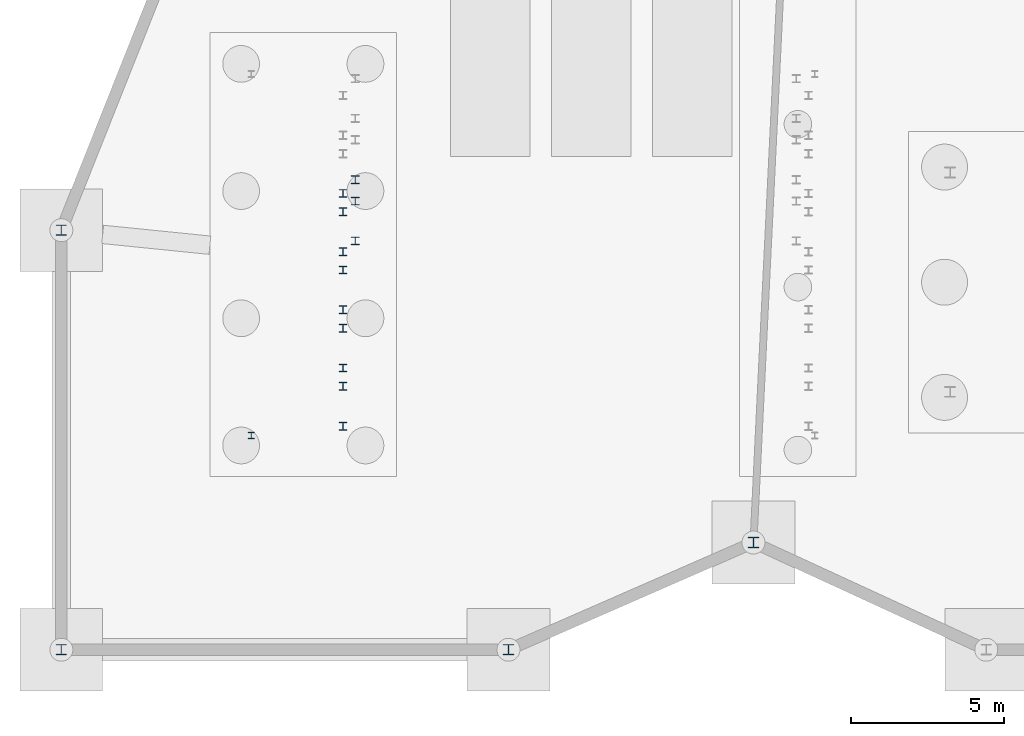
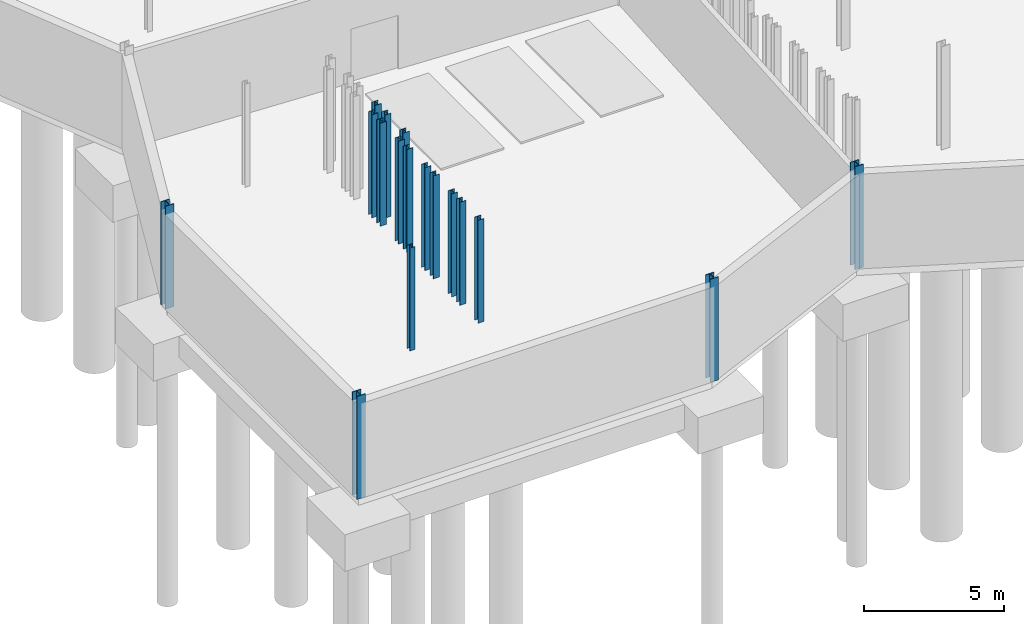
# One storey, part 4 of 37: 17 columns.
"""IFC4 building model written with IfcOpenShell, lengths in metres."""

from ifc_helpers import new_model, si_unit, direction, frame, origin, origin_2d, place, context, subcontext, project, spatial, i_section, extrude, material, material_profile, profile_set, type_object, element, save


model = new_model("IFC4")

# Units and contexts
model_context = context("Model", 3, precision=1e-05, world=origin(), true_north=direction((0.0, 1.0)))
body_context = subcontext(model_context, "Body", "Model", "MODEL_VIEW")
ifc_project = project(units=[si_unit("LENGTHUNIT", "METRE"), si_unit("AREAUNIT", "SQUARE_METRE"), si_unit("VOLUMEUNIT", "CUBIC_METRE"), si_unit("PLANEANGLEUNIT", "RADIAN"), si_unit("MASSUNIT", "GRAM", prefix="KILO")], contexts=[model_context])

# Site, building, storey
site_placement = place(None, origin())
site = spatial("IfcSite", under=ifc_project, at=site_placement, CompositionType="ELEMENT")
building_placement = place(site_placement, origin())
building = spatial("IfcBuilding", under=site, at=building_placement, Name="Tameran Prism Museum", CompositionType="ELEMENT")
storey_placement = place(building_placement, frame((0.0, 0.0, -4.5)))
storey = spatial("IfcBuildingStorey", under=building, at=storey_placement, Name="B1", CompositionType="ELEMENT", Elevation=-4.5)

# Columns
ifc_material_1 = material(Name="Steel Grade 300PLUS (300 MPa)", Category="steel")
ifc_material_profile_1 = material_profile(ifc_material_1, i_section(OverallWidth=0.205078125, OverallDepth=0.2099609375, WebThickness=0.00927734375, FlangeThickness=0.01416015625, FilletRadius=0.01025390625, at=origin_2d()))
ifc_profile_set_1 = profile_set([ifc_material_profile_1])
column_type_1 = type_object("IfcColumnType", Name="COL-UC200", PredefinedType="COLUMN", material=ifc_profile_set_1)
column_placement = place(storey_placement, frame((6.199951171875, 7.0, 0.0), z_axis=(0.0, 0.0, 1.0), x_axis=(1.0, 0.0, 0.0)))
element("IfcColumn", 1, at=column_placement, inside=storey, type_object=column_type_1, Name="Column CA-01 B1", PredefinedType="COLUMN", context=body_context, shape_type="SweptSolid", body=[
    extrude(i_section(OverallWidth=0.205078125, OverallDepth=0.2099609375, WebThickness=0.00927734375, FlangeThickness=0.01416015625, FilletRadius=0.01025390625, at=origin_2d()), origin(), (0.0, 0.0, 1.0), 4.5),
])
ifc_material_2 = material(Name="Steel Grade 300PLUS (300 MPa)", Category="steel")
ifc_material_profile_2 = material_profile(ifc_material_2, i_section(OverallWidth=0.25390625, OverallDepth=0.25390625, WebThickness=0.008544921875, FlangeThickness=0.01416015625, FilletRadius=0.0126953125, at=origin_2d()))
ifc_profile_set_2 = profile_set([ifc_material_profile_2])
column_type_2 = type_object("IfcColumnType", Name="COL-UC250B", PredefinedType="COLUMN", material=ifc_profile_set_2)
for number, where, z_axis, x_axis, name in (
    (2, (9.199951171875, 7.300048828125, 0.0), (0.0, 0.0, 1.0), (1.0, 0.0, 0.0), "Auditorium Subframe B1 Column CAT-B1-01"),
    (3, (9.199951171875, 8.60009765625, 0.0), (0.0, 0.0, 1.0), (1.0, 0.0, 0.0), "Auditorium Subframe B1 Column CAT-B1-02"),
    (4, (9.199951171875, 9.199951171875, 0.0), (0.0, 0.0, 1.0), (1.0, 0.0, 0.0), "Auditorium Subframe B1 Column CAT-B1-05"),
    (5, (9.199951171875, 10.5, 0.0), (0.0, 0.0, 1.0), (1.0, 0.0, 0.0), "Auditorium Subframe B1 Column CAT-B1-06"),
    (6, (9.199951171875, 11.10009765625, 0.0), (0.0, 0.0, 1.0), (1.0, 0.0, 0.0), "Auditorium Subframe B1 Column CAT-B1-09"),
    (7, (9.199951171875, 12.39990234375, 0.0), (0.0, 0.0, 1.0), (1.0, 0.0, 0.0), "Auditorium Subframe B1 Column CAT-B1-10"),
    (8, (9.199951171875, 13.0, 0.0), (0.0, 0.0, 1.0), (1.0, 0.0, 0.0), "Auditorium Subframe B1 Column CAT-B1-13"),
    (9, (9.199951171875, 14.300048828125, 0.0), (0.0, 0.0, 1.0), (1.0, 0.0, 0.0), "Auditorium Subframe B1 Column CAT-B1-14"),
    (10, (9.199951171875, 14.89990234375, 0.0), (0.0, 0.0, 1.0), (1.0, 0.0, 0.0), "Auditorium Subframe B1 Column CAT-B1-17"),
    (11, (9.60009765625, 13.35009765625, 0.0), (0.0, 0.0, 1.0), (1.0, 0.0, 0.0), "Balcony Subframe B1 Column CAB-B1-25"),
    (12, (9.60009765625, 14.64990234375, 0.0), (0.0, 0.0, 1.0), (1.0, 0.0, 0.0), "Balcony Subframe B1 Column CAB-B1-26"),
    (13, (9.60009765625, 15.35009765625, 0.0), (0.0, 0.0, 1.0), (1.0, 0.0, 0.0), "Balcony Subframe B1 Column CAB-B1-29"),
):
    element("IfcColumn", number, at=place(storey_placement, frame(where, z_axis=z_axis, x_axis=x_axis)), inside=storey, type_object=column_type_2, Name=name, PredefinedType="COLUMN", context=body_context, shape_type="SweptSolid", body=[
        extrude(i_section(OverallWidth=0.25390625, OverallDepth=0.25390625, WebThickness=0.008544921875, FlangeThickness=0.01416015625, FilletRadius=0.0126953125, at=origin_2d()), origin(), (0.0, 0.0, 1.0), 4.5),
    ])
ifc_material_3 = material(Name="Steel Grade 350 (350 MPa)", Category="steel")
ifc_material_profile_3 = material_profile(ifc_material_3, i_section(OverallWidth=0.35009765625, OverallDepth=0.35009765625, WebThickness=0.02001953125, FlangeThickness=0.028076171875, at=origin_2d()))
ifc_profile_set_3 = profile_set([ifc_material_profile_3])
column_type_3 = type_object("IfcColumnType", Name="COL-WC350", PredefinedType="COLUMN", material=ifc_profile_set_3)
for number, where, z_axis, x_axis, name in (
    (14, (0.0, 0.0, 0.0), (0.0, 0.0, 1.0), (1.0, 0.0, 0.0), "Column CV-01 B1"),
    (15, (0.0, 13.699951171875, 0.0), (0.0, 0.0, 1.0), (1.0, 0.0, 0.0), "Column CV-02 B1"),
    (16, (14.60009765625, 0.0, 0.0), (0.0, 0.0, 1.0), (1.0, 0.0, 0.0), "Column CV-11 B1"),
    (17, (22.60009765625, 3.5, 0.0), (0.0, 0.0, 1.0), (1.0, 0.0, 0.0), "Column CV-13 B1"),
):
    element("IfcColumn", number, at=place(storey_placement, frame(where, z_axis=z_axis, x_axis=x_axis)), inside=storey, type_object=column_type_3, Name=name, PredefinedType="COLUMN", context=body_context, shape_type="SweptSolid", body=[
        extrude(i_section(OverallWidth=0.35009765625, OverallDepth=0.35009765625, WebThickness=0.02001953125, FlangeThickness=0.028076171875, at=origin_2d()), origin(), (0.0, 0.0, 1.0), 4.5),
    ])

save(model, "model.ifc")
